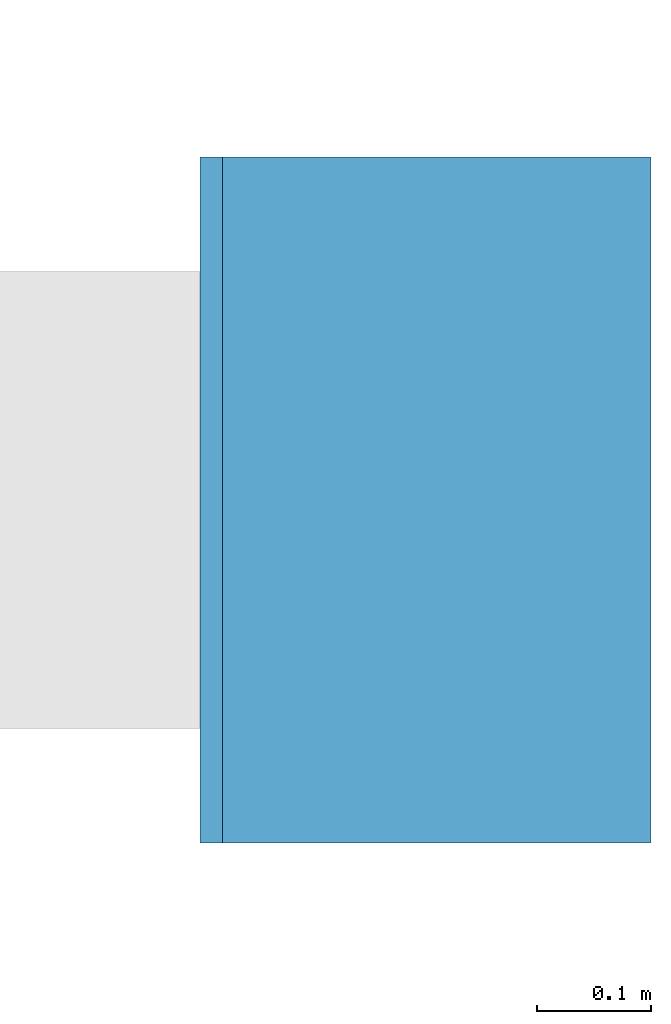
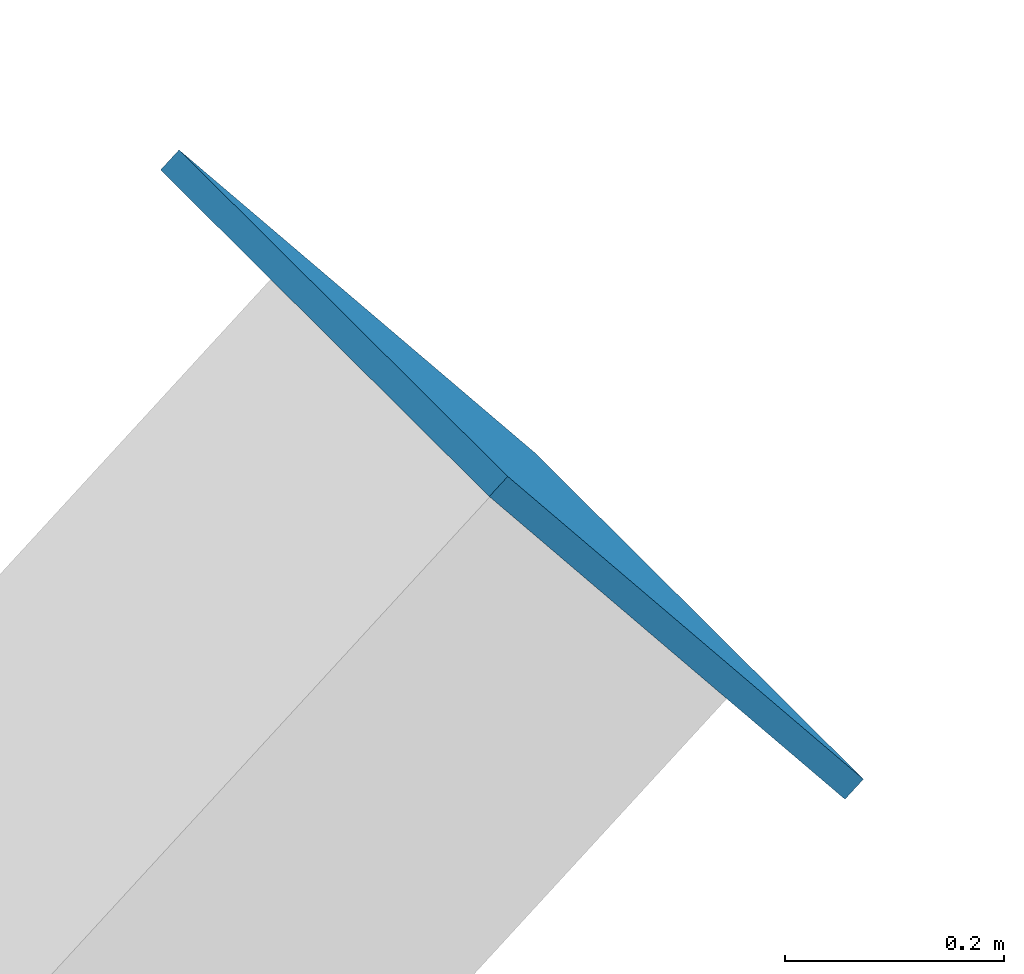
# One storey, part 27 of 29: 1 discrete accessory.
"""IFC4 building model written with IfcOpenShell, lengths in metres."""

from ifc_helpers import new_model, si_unit, direction, frame, origin, origin_2d, place, context, subcontext, project, spatial, rectangle, extrude, element, save


model = new_model("IFC4")

# Units and contexts
model_context = context("Model", 3, precision=1e-05, world=origin(), true_north=direction((0.0, 1.0)))
body_context = subcontext(model_context, "Body", "Model", "MODEL_VIEW")
ifc_project = project(units=[si_unit("LENGTHUNIT", "METRE"), si_unit("AREAUNIT", "SQUARE_METRE"), si_unit("VOLUMEUNIT", "CUBIC_METRE"), si_unit("PLANEANGLEUNIT", "RADIAN"), si_unit("MASSUNIT", "GRAM", prefix="KILO")], contexts=[model_context])

# Site, building, storey
site_placement = place(None, origin())
site = spatial("IfcSite", under=ifc_project, at=site_placement, CompositionType="ELEMENT")
building_placement = place(site_placement, origin())
building = spatial("IfcBuilding", under=site, at=building_placement, Name="Kolab Exchange Tower", CompositionType="ELEMENT")
storey_placement = place(building_placement, frame((0.0, 0.0, 55.39990234375)))
storey = spatial("IfcBuildingStorey", under=building, at=storey_placement, Name="L10", CompositionType="ELEMENT", Elevation=55.39990234375)

# Discrete accessory
discrete_accessory_placement = place(storey_placement, frame((41.935791015625, 0.0, 4.468017578125), z_axis=(0.780868809443, 0.0, 0.624695047554), x_axis=(0.0, 1.0, 0.0)))
element("IfcDiscreteAccessory", 1, at=discrete_accessory_placement, inside=storey, Name="Gusset plate", ObjectType="GUSSET PLATE", PredefinedType="USERDEFINED", context=body_context, shape_type="SweptSolid", body=[
    extrude(rectangle(XDim=0.60009765625, YDim=0.60009765625, at=origin_2d()), origin(), (0.0, 0.0, 1.0), 0.02490234375),
])

save(model, "model.ifc")
